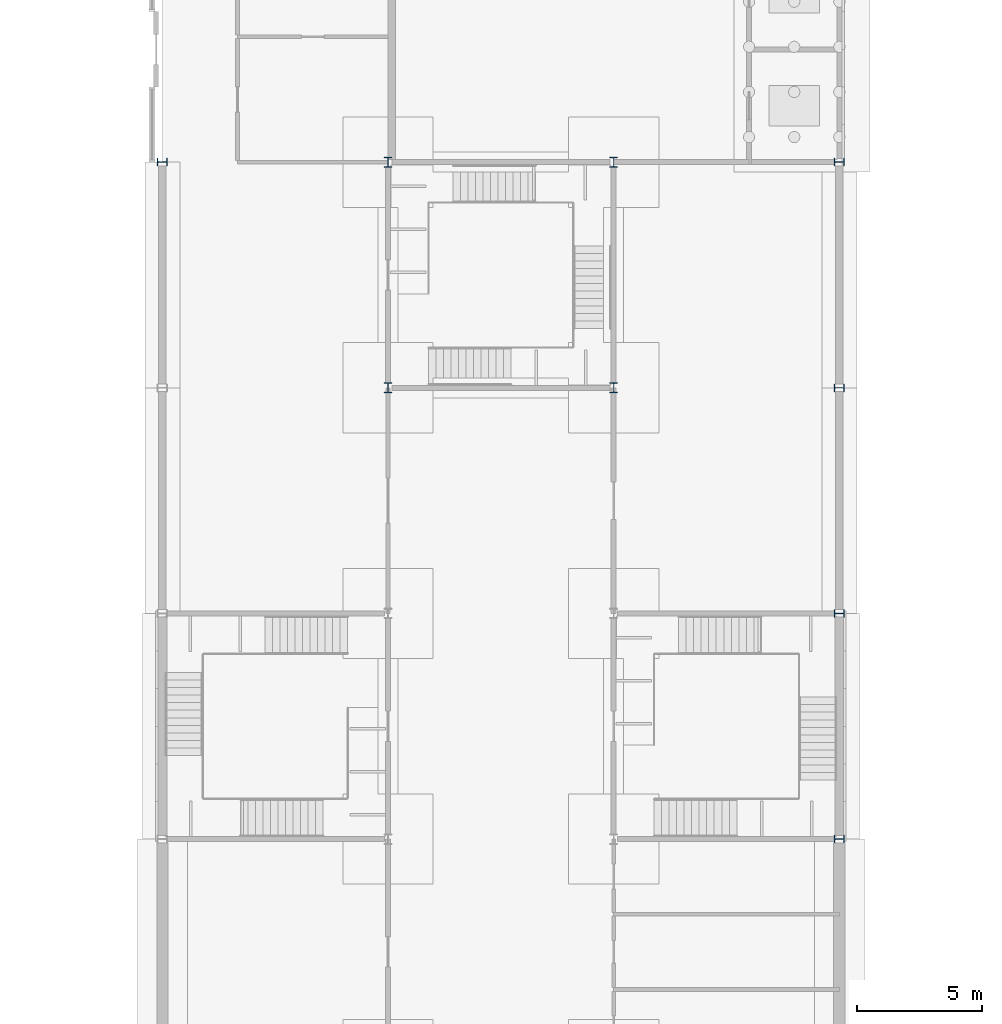
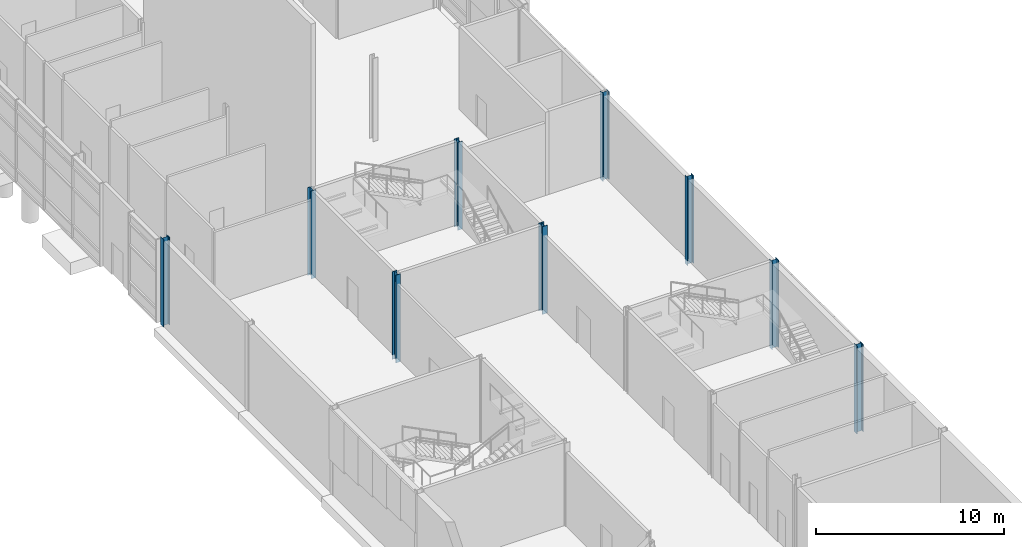
# One storey, part 5 of 45: 9 columns.
"""IFC4 building model written with IfcOpenShell, lengths in metres."""

from ifc_helpers import new_model, si_unit, direction, frame, origin, origin_2d, place, context, subcontext, project, spatial, i_section, extrude, material, material_profile, profile_set, type_object, element, save


model = new_model("IFC4")

# Units and contexts
model_context = context("Model", 3, precision=1e-05, world=origin(), true_north=direction((0.0, 1.0)))
body_context = subcontext(model_context, "Body", "Model", "MODEL_VIEW")
ifc_project = project(units=[si_unit("LENGTHUNIT", "METRE"), si_unit("AREAUNIT", "SQUARE_METRE"), si_unit("VOLUMEUNIT", "CUBIC_METRE"), si_unit("PLANEANGLEUNIT", "RADIAN"), si_unit("MASSUNIT", "GRAM", prefix="KILO")], contexts=[model_context])

# Site, building, storey
site_placement = place(None, origin())
site = spatial("IfcSite", under=ifc_project, at=site_placement, CompositionType="ELEMENT")
building_placement = place(site_placement, origin())
building = spatial("IfcBuilding", under=site, at=building_placement, Name="Azimuth Sports and Learning Centre", CompositionType="ELEMENT")
storey_placement = place(building_placement, origin())
storey = spatial("IfcBuildingStorey", under=building, at=storey_placement, Name="L00", CompositionType="ELEMENT", Elevation=0.0)

# Columns
ifc_material = material(Name="Steel S355", Category="steel")
ifc_material_profile = material_profile(ifc_material, i_section(OverallWidth=0.300048828125, OverallDepth=0.39990234375, WebThickness=0.013427734375, FlangeThickness=0.02392578125, FilletRadius=0.027099609375, at=origin_2d()), Name="HEB 400")
ifc_profile_set = profile_set([ifc_material_profile], Name="Steel S355")
column_type = type_object("IfcColumnType", Name="Column HEB 400", PredefinedType="COLUMN", material=ifc_profile_set)
for number, where, z_axis, x_axis, name in (
    (1, (99.0, 27.0, -0.300048828125), (0.0, 0.0, 1.0), (0.0, 1.0, 0.0), "Column 12D L00"),
    (2, (99.0, 36.0, -0.300048828125), (0.0, 0.0, 1.0), (0.0, 1.0, 0.0), "Column 12E L00"),
    (3, (81.0, 45.0, -0.300048828125), (0.0, 0.0, 1.0), (1.0, 0.0, 0.0), "Column 10F L00"),
    (4, (90.0, 45.0, -0.300048828125), (0.0, 0.0, 1.0), (1.0, 0.0, 0.0), "Column 11F L00"),
    (5, (99.0, 45.0, -0.300048828125), (0.0, 0.0, 1.0), (0.0, 1.0, 0.0), "Column 12F L00"),
    (6, (72.0, 54.0, -0.300048828125), (0.0, 0.0, 1.0), (0.0, 1.0, 0.0), "Column 9G L00"),
    (7, (81.0, 54.0, -0.300048828125), (0.0, 0.0, 1.0), (1.0, 0.0, 0.0), "Column 10G L00"),
    (8, (90.0, 54.0, -0.300048828125), (0.0, 0.0, 1.0), (1.0, 0.0, 0.0), "Column 11G L00"),
    (9, (99.0, 54.0, -0.300048828125), (0.0, 0.0, 1.0), (0.0, 1.0, 0.0), "Column 12G L00"),
):
    element("IfcColumn", number, at=place(storey_placement, frame(where, z_axis=z_axis, x_axis=x_axis)), inside=storey, type_object=column_type, Name=name, PredefinedType="COLUMN", context=body_context, shape_type="SweptSolid", body=[
        extrude(i_section(OverallWidth=0.300048828125, OverallDepth=0.39990234375, WebThickness=0.013427734375, FlangeThickness=0.02392578125, FilletRadius=0.027099609375, at=origin_2d()), origin(), (0.0, 0.0, 1.0), 5.699951171875),
    ])

save(model, "model.ifc")
